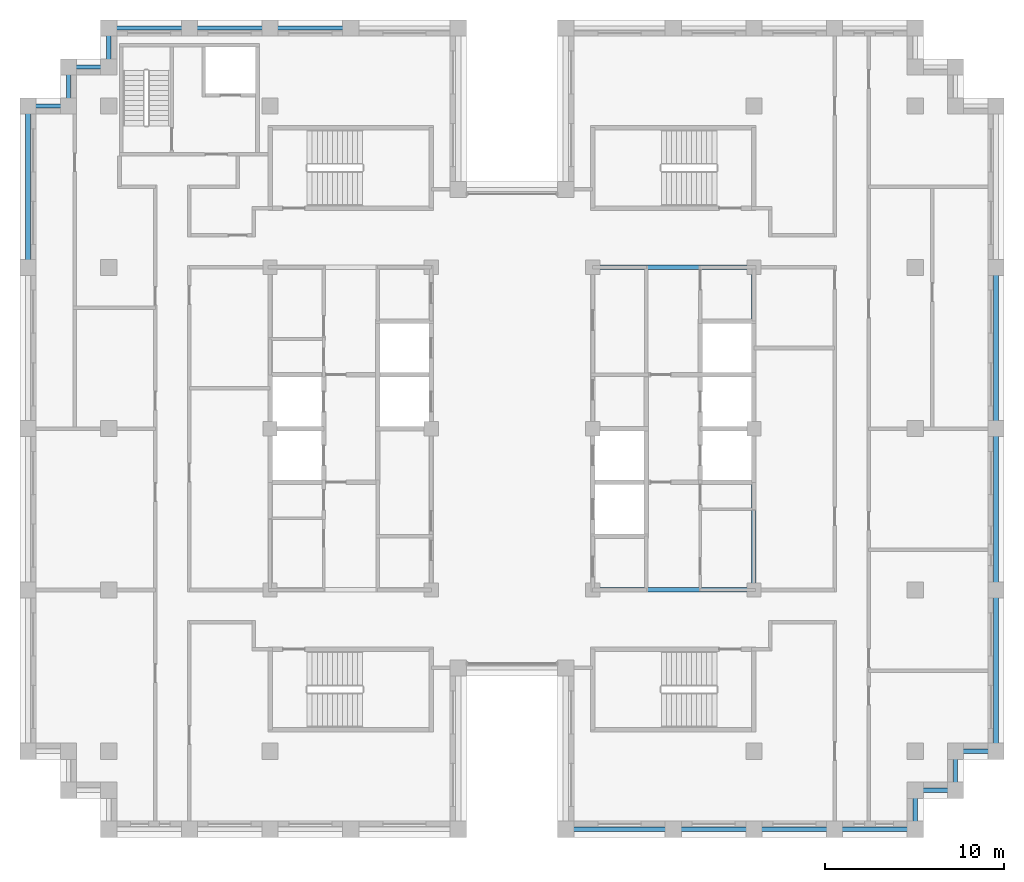
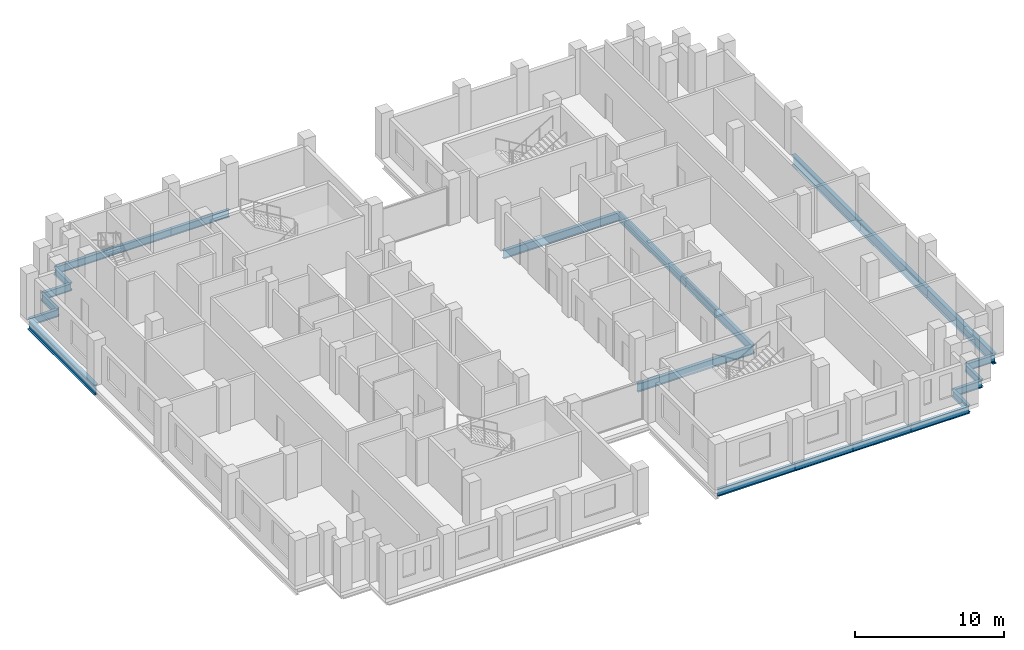
# One storey, part 3 of 13: 23 beams.
"""IFC4 building model written with IfcOpenShell, lengths in metres."""

from ifc_helpers import new_model, si_unit, direction, frame, origin, origin_2d, place, context, subcontext, project, spatial, i_section, extrude, material, material_profile, profile_set, type_object, element, save


model = new_model("IFC4")

# Units and contexts
model_context = context("Model", 3, precision=1e-05, world=origin(), true_north=direction((0.0, 1.0)))
body_context = subcontext(model_context, "Body", "Model", "MODEL_VIEW")
ifc_project = project(units=[si_unit("LENGTHUNIT", "METRE"), si_unit("AREAUNIT", "SQUARE_METRE"), si_unit("VOLUMEUNIT", "CUBIC_METRE"), si_unit("PLANEANGLEUNIT", "RADIAN"), si_unit("MASSUNIT", "GRAM", prefix="KILO")], contexts=[model_context])

# Site, building, storey
site_placement = place(None, origin())
site = spatial("IfcSite", under=ifc_project, at=site_placement, CompositionType="ELEMENT")
building_placement = place(site_placement, origin())
building = spatial("IfcBuilding", under=site, at=building_placement, Name="Corbelhall Arena Tower", CompositionType="ELEMENT")
storey_placement = place(building_placement, frame((0.0, 0.0, 246.0)))
storey = spatial("IfcBuildingStorey", under=building, at=storey_placement, Name="L52", CompositionType="ELEMENT", Elevation=246.0)

# Beams
ifc_material = material(Name="Steel ASTM A992 Gr50", Category="steel")
ifc_material_profile_1 = material_profile(ifc_material, i_section(OverallWidth=0.25390625, OverallDepth=0.67822265625, WebThickness=0.01171875, FlangeThickness=0.016357421875, at=origin_2d()))
ifc_profile_set_1 = profile_set([ifc_material_profile_1], Name="Steel ASTM A992 Gr50")
beam_type_1 = type_object("IfcBeamType", Name="ST-BEAM-W27x84", PredefinedType="BEAM", material=ifc_profile_set_1)
for number, where, z_axis, x_axis, name in (
    (1, (13.5, -9.0, -0.619140625), (0.0, 1.0, 0.0), (-1.0, 0.0, 0.0), "Beam CEE 9"),
    (2, (13.5, 0.0, -0.619140625), (0.0, 1.0, 0.0), (-1.0, 0.0, 0.0), "Beam CEE 10"),
    (3, (4.5, -9.0, -0.619140625), (1.0, 0.0, 0.0), (0.0, 1.0, 0.0), "Beam CEE 11"),
    (4, (4.5, 9.0, -0.619140625), (1.0, 0.0, 0.0), (0.0, 1.0, 0.0), "Beam CEE 12"),
):
    element("IfcBeam", number, at=place(storey_placement, frame(where, z_axis=z_axis, x_axis=x_axis)), inside=storey, type_object=beam_type_1, Name=name, PredefinedType="BEAM", context=body_context, shape_type="SweptSolid", body=[
        extrude(i_section(OverallWidth=0.25390625, OverallDepth=0.67822265625, WebThickness=0.01171875, FlangeThickness=0.016357421875, at=origin_2d()), origin(), (0.0, 0.0, 1.0), 9.0),
    ])
ifc_material_profile_2 = material_profile(ifc_material, i_section(OverallWidth=0.227783203125, OverallDepth=0.60205078125, WebThickness=0.010498046875, FlangeThickness=0.014892578125, at=origin_2d()))
ifc_profile_set_2 = profile_set([ifc_material_profile_2], Name="Steel ASTM A992 Gr50")
beam_type_2 = type_object("IfcBeamType", Name="ST-SPANDREL-W24x68", PredefinedType="SPANDREL", material=ifc_profile_set_2)
beam_1_placement = place(storey_placement, frame((27.0, -18.0, -0.5810546875), z_axis=(-1.0, 0.0, 0.0), x_axis=(0.0, -1.0, 0.0)))
element("IfcBeam", 5, at=beam_1_placement, inside=storey, type_object=beam_type_2, Name="Beam SP 5", PredefinedType="SPANDREL", context=body_context, shape_type="SweptSolid", body=[
    extrude(i_section(OverallWidth=0.227783203125, OverallDepth=0.60205078125, WebThickness=0.010498046875, FlangeThickness=0.014892578125, at=origin_2d()), origin(), (0.0, 0.0, 1.0), 2.25),
])
for number, where, z_axis, x_axis, name in (
    (6, (-13.5, 22.35009765625, -0.5810546875), (1.0, 0.0, 0.0), (0.0, 1.0, 0.0), "Beam SP 13"),
    (7, (-18.0, 22.35009765625, -0.5810546875), (1.0, 0.0, 0.0), (0.0, 1.0, 0.0), "Beam SP 14"),
    (8, (-22.5, 22.35009765625, -0.5810546875), (1.0, 0.0, 0.0), (0.0, 1.0, 0.0), "Beam SP 15"),
):
    element("IfcBeam", number, at=place(storey_placement, frame(where, z_axis=z_axis, x_axis=x_axis)), inside=storey, type_object=beam_type_2, Name=name, PredefinedType="SPANDREL", context=body_context, shape_type="SweptSolid", body=[
        extrude(i_section(OverallWidth=0.227783203125, OverallDepth=0.60205078125, WebThickness=0.010498046875, FlangeThickness=0.014892578125, at=origin_2d()), origin(), (0.0, 0.0, 1.0), 4.5),
    ])
beam_2_placement = place(storey_placement, frame((9.0, -22.35009765625, -0.5810546875), z_axis=(-1.0, 0.0, 0.0), x_axis=(0.0, -1.0, 0.0)))
element("IfcBeam", 9, at=beam_2_placement, inside=storey, type_object=beam_type_2, Name="Beam SP 17", PredefinedType="SPANDREL", context=body_context, shape_type="SweptSolid", body=[
    extrude(i_section(OverallWidth=0.227783203125, OverallDepth=0.60205078125, WebThickness=0.010498046875, FlangeThickness=0.014892578125, at=origin_2d()), origin(), (0.0, 0.0, 1.0), 6.0),
])
for number, where, z_axis, x_axis, name in (
    (10, (13.5, -22.35009765625, -0.5810546875), (-1.0, 0.0, 0.0), (0.0, -1.0, 0.0), "Beam SP 18"),
    (11, (18.0, -22.35009765625, -0.5810546875), (-1.0, 0.0, 0.0), (0.0, -1.0, 0.0), "Beam SP 19"),
    (12, (22.5, -22.35009765625, -0.5810546875), (-1.0, 0.0, 0.0), (0.0, -1.0, 0.0), "Beam SP 20"),
):
    element("IfcBeam", number, at=place(storey_placement, frame(where, z_axis=z_axis, x_axis=x_axis)), inside=storey, type_object=beam_type_2, Name=name, PredefinedType="SPANDREL", context=body_context, shape_type="SweptSolid", body=[
        extrude(i_section(OverallWidth=0.227783203125, OverallDepth=0.60205078125, WebThickness=0.010498046875, FlangeThickness=0.014892578125, at=origin_2d()), origin(), (0.0, 0.0, 1.0), 4.5),
    ])
beam_3_placement = place(storey_placement, frame((-27.0, 18.0, -0.5810546875), z_axis=(1.0, 0.0, 0.0), x_axis=(0.0, 1.0, 0.0)))
element("IfcBeam", 13, at=beam_3_placement, inside=storey, type_object=beam_type_2, Name="Beam SP 28", PredefinedType="SPANDREL", context=body_context, shape_type="SweptSolid", body=[
    extrude(i_section(OverallWidth=0.227783203125, OverallDepth=0.60205078125, WebThickness=0.010498046875, FlangeThickness=0.014892578125, at=origin_2d()), origin(), (0.0, 0.0, 1.0), 2.25),
])
beam_4_placement = place(storey_placement, frame((-22.5, 20.175048828125, -0.5810546875), z_axis=(0.0, 1.0, 0.0), x_axis=(-1.0, 0.0, 0.0)))
element("IfcBeam", 14, at=beam_4_placement, inside=storey, type_object=beam_type_2, Name="Beam SP 38", PredefinedType="SPANDREL", context=body_context, shape_type="SweptSolid", body=[
    extrude(i_section(OverallWidth=0.227783203125, OverallDepth=0.60205078125, WebThickness=0.010498046875, FlangeThickness=0.014892578125, at=origin_2d()), origin(), (0.0, 0.0, 1.0), 2.175048828125),
])
beam_5_placement = place(storey_placement, frame((-24.75, 20.175048828125, -0.5810546875), z_axis=(1.0, 0.0, 0.0), x_axis=(0.0, 1.0, 0.0)))
element("IfcBeam", 15, at=beam_5_placement, inside=storey, type_object=beam_type_2, Name="Beam SP 39", PredefinedType="SPANDREL", context=body_context, shape_type="SweptSolid", body=[
    extrude(i_section(OverallWidth=0.227783203125, OverallDepth=0.60205078125, WebThickness=0.010498046875, FlangeThickness=0.014892578125, at=origin_2d()), origin(), (0.0, 0.0, 1.0), 2.25),
])
for number, where, z_axis, x_axis, name in (
    (16, (-24.75, 18.0, -0.5810546875), (0.0, 1.0, 0.0), (-1.0, 0.0, 0.0), "Beam SP 40"),
    (17, (22.5, -20.175048828125, -0.5810546875), (0.0, -1.0, 0.0), (1.0, 0.0, 0.0), "Beam SP 41"),
):
    element("IfcBeam", number, at=place(storey_placement, frame(where, z_axis=z_axis, x_axis=x_axis)), inside=storey, type_object=beam_type_2, Name=name, PredefinedType="SPANDREL", context=body_context, shape_type="SweptSolid", body=[
        extrude(i_section(OverallWidth=0.227783203125, OverallDepth=0.60205078125, WebThickness=0.010498046875, FlangeThickness=0.014892578125, at=origin_2d()), origin(), (0.0, 0.0, 1.0), 2.175048828125),
    ])
beam_6_placement = place(storey_placement, frame((24.75, -20.175048828125, -0.5810546875), z_axis=(-1.0, 0.0, 0.0), x_axis=(0.0, -1.0, 0.0)))
element("IfcBeam", 18, at=beam_6_placement, inside=storey, type_object=beam_type_2, Name="Beam SP 42", PredefinedType="SPANDREL", context=body_context, shape_type="SweptSolid", body=[
    extrude(i_section(OverallWidth=0.227783203125, OverallDepth=0.60205078125, WebThickness=0.010498046875, FlangeThickness=0.014892578125, at=origin_2d()), origin(), (0.0, 0.0, 1.0), 2.25),
])
beam_7_placement = place(storey_placement, frame((24.75, -18.0, -0.5810546875), z_axis=(0.0, -1.0, 0.0), x_axis=(1.0, 0.0, 0.0)))
element("IfcBeam", 19, at=beam_7_placement, inside=storey, type_object=beam_type_2, Name="Beam SP 43", PredefinedType="SPANDREL", context=body_context, shape_type="SweptSolid", body=[
    extrude(i_section(OverallWidth=0.227783203125, OverallDepth=0.60205078125, WebThickness=0.010498046875, FlangeThickness=0.014892578125, at=origin_2d()), origin(), (0.0, 0.0, 1.0), 2.175048828125),
])
ifc_material_profile_3 = material_profile(ifc_material, i_section(OverallWidth=0.2919921875, OverallDepth=0.845703125, WebThickness=0.015380859375, FlangeThickness=0.0244140625, at=origin_2d()))
ifc_profile_set_3 = profile_set([ifc_material_profile_3], Name="Steel ASTM A992 Gr50")
beam_type_3 = type_object("IfcBeamType", Name="ST-SPANDREL-W33x141", PredefinedType="SPANDREL", material=ifc_profile_set_3)
for number, where, z_axis, x_axis, name in (
    (20, (27.0, 0.0, -0.702880859375), (0.0, -1.0, 0.0), (1.0, 0.0, 0.0), "Beam SP 1"),
    (21, (27.0, 9.0, -0.702880859375), (0.0, -1.0, 0.0), (1.0, 0.0, 0.0), "Beam SP 2"),
    (22, (27.0, -9.0, -0.702880859375), (0.0, -1.0, 0.0), (1.0, 0.0, 0.0), "Beam SP 4"),
    (23, (-27.0, 9.0, -0.702880859375), (0.0, 1.0, 0.0), (-1.0, 0.0, 0.0), "Beam SP 27"),
):
    element("IfcBeam", number, at=place(storey_placement, frame(where, z_axis=z_axis, x_axis=x_axis)), inside=storey, type_object=beam_type_3, Name=name, PredefinedType="SPANDREL", context=body_context, shape_type="SweptSolid", body=[
        extrude(i_section(OverallWidth=0.2919921875, OverallDepth=0.845703125, WebThickness=0.015380859375, FlangeThickness=0.0244140625, at=origin_2d()), origin(), (0.0, 0.0, 1.0), 9.0),
    ])

save(model, "model.ifc")
